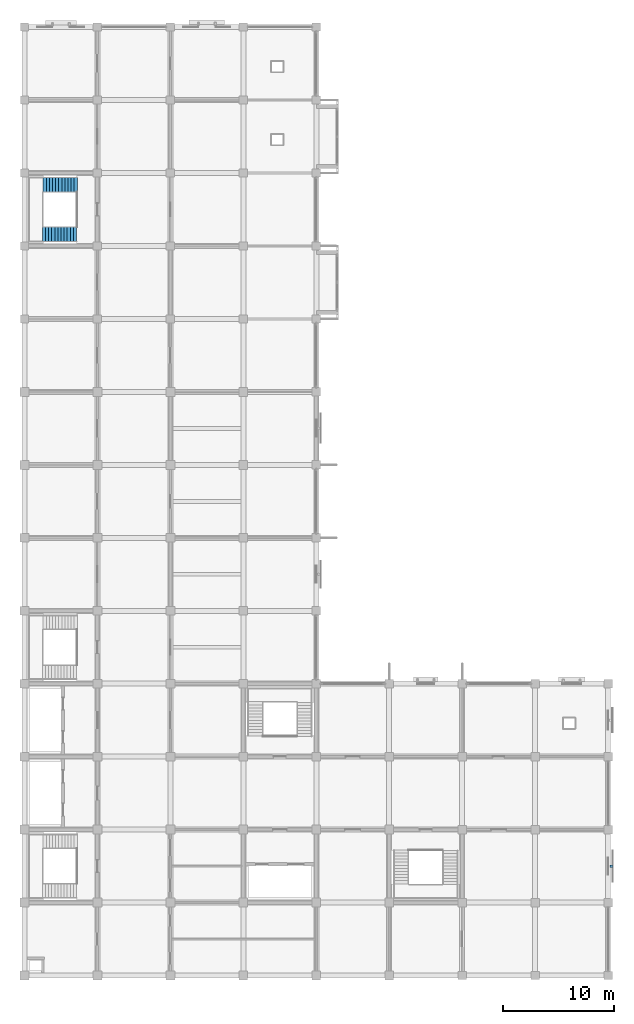
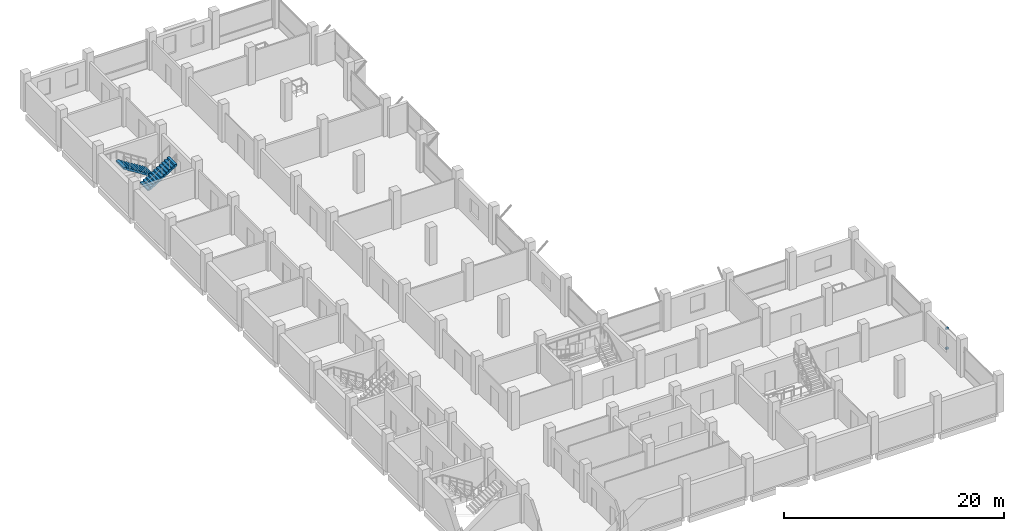
# One storey, part 14 of 18: 2 discrete accessories, 2 stair flights, 1 element without a shape of its own.
"""IFC4 building model written with IfcOpenShell, lengths in metres."""

from ifc_helpers import new_model, si_unit, direction, frame, origin, origin_2d, place, context, subcontext, project, spatial, polyline, rectangle, outline, extrude, material, type_object, element, aggregate, save


model = new_model("IFC4")

# Units and contexts
model_context = context("Model", 3, precision=1e-05, world=origin(), true_north=direction((0.0, 1.0)))
body_context = subcontext(model_context, "Body", "Model", "MODEL_VIEW")
ifc_project = project(units=[si_unit("LENGTHUNIT", "METRE"), si_unit("AREAUNIT", "SQUARE_METRE"), si_unit("VOLUMEUNIT", "CUBIC_METRE"), si_unit("PLANEANGLEUNIT", "RADIAN"), si_unit("MASSUNIT", "GRAM", prefix="KILO")], contexts=[model_context])

# Site, building, storey
site_placement = place(None, origin())
site = spatial("IfcSite", under=ifc_project, at=site_placement, CompositionType="ELEMENT")
building_placement = place(site_placement, origin())
building = spatial("IfcBuilding", under=site, at=building_placement, Name="Rusizi Kubbe Research Institute", CompositionType="ELEMENT")
storey_placement = place(building_placement, frame((0.0, 0.0, 22.800048828125)))
storey = spatial("IfcBuildingStorey", under=building, at=storey_placement, Name="L05", CompositionType="ELEMENT", Elevation=22.800048828125)

# Stair, stair flights
ifc_material_1 = material(Name="Concrete C40/50", Category="concrete")
stair_type = type_object("IfcStairType", Name="ST-H420A", PredefinedType="HALF_TURN_STAIR", material=ifc_material_1)
stair_placement = place(storey_placement, origin())
stair = element("IfcStair", 1, at=stair_placement, inside=storey, type_object=stair_type, Name="Protected Exit Stair ST5 (L05)", PredefinedType="HALF_TURN_STAIR")
ifc_material_2 = material(Name="Concrete C40/50", Category="concrete")
stair_flight_type = type_object("IfcStairFlightType", Name="FL-H420A", PredefinedType="STRAIGHT", material=ifc_material_2)
stair_flight_1_placement = place(storey_placement, frame((4.780029296875, 71.550048828125, 0.0), z_axis=(0.0, 0.0, 1.0), x_axis=(-1.0, 0.0, 0.0)))
stair_flight_1 = element("IfcStairFlight", 2, at=stair_flight_1_placement, type_object=stair_flight_type, Name="ST5 flight 1", NumberOfRisers=12, NumberOfTreads=11, PredefinedType="STRAIGHT", RiserHeight=0.175, TreadLength=0.28, context=body_context, shape_type="SweptSolid", body=[
    extrude(outline(polyline([(0.0, 0.0), (0.0, 0.175048828125), (0.280029296875, 0.175048828125), (0.280029296875, 0.35009765625), (0.56005859375, 0.35009765625), (0.56005859375, 0.52490234375), (0.840087890625, 0.52490234375), (0.840087890625, 0.699951171875), (1.1201171875, 0.699951171875), (1.1201171875, 0.875), (1.39990234375, 0.875), (1.39990234375, 1.050048828125), (1.679931640625, 1.050048828125), (1.679931640625, 1.22509765625), (1.9599609375, 1.22509765625), (1.9599609375, 1.39990234375), (2.239990234375, 1.39990234375), (2.239990234375, 1.574951171875), (2.52001953125, 1.574951171875), (2.52001953125, 1.75), (2.800048828125, 1.75), (2.800048828125, 1.925048828125), (3.080078125, 1.925048828125), (3.080078125, 2.10009765625), (3.080078125, 1.736328125), (0.3017578125, 0.0), (0.0, 0.0)])), frame((0.0, 0.699951171875, 0.0), z_axis=(0.0, -1.0, 0.0), x_axis=(1.0, 0.0, 0.0)), (0.0, 0.0, 1.0), 1.39990234375),
])
stair_flight_2_placement = place(storey_placement, frame((1.6259765625, 67.050048828125, 2.099853515625), z_axis=(0.0, 0.0, 1.0), x_axis=(1.0, 0.0, 0.0)))
stair_flight_2 = element("IfcStairFlight", 3, at=stair_flight_2_placement, type_object=stair_flight_type, Name="ST5 flight 2", NumberOfRisers=12, NumberOfTreads=11, PredefinedType="STRAIGHT", RiserHeight=0.175, TreadLength=0.28, context=body_context, shape_type="SweptSolid", body=[
    extrude(outline(polyline([(0.0, 0.0), (0.0, 0.175048828125), (0.280029296875, 0.175048828125), (0.280029296875, 0.35009765625), (0.56005859375, 0.35009765625), (0.56005859375, 0.52490234375), (0.840087890625, 0.52490234375), (0.840087890625, 0.699951171875), (1.1201171875, 0.699951171875), (1.1201171875, 0.875), (1.39990234375, 0.875), (1.39990234375, 1.050048828125), (1.679931640625, 1.050048828125), (1.679931640625, 1.22509765625), (1.9599609375, 1.22509765625), (1.9599609375, 1.39990234375), (2.239990234375, 1.39990234375), (2.239990234375, 1.574951171875), (2.52001953125, 1.574951171875), (2.52001953125, 1.75), (2.800048828125, 1.75), (2.800048828125, 1.925048828125), (3.080078125, 1.925048828125), (3.080078125, 2.10009765625), (3.080078125, 1.736328125), (0.3017578125, 0.0), (0.0, 0.0)])), frame((0.0, 0.699951171875, 0.0), z_axis=(0.0, -1.0, 0.0), x_axis=(1.0, 0.0, 0.0)), (0.0, 0.0, 1.0), 1.39990234375),
])
aggregate(stair, [stair_flight_1, stair_flight_2])

# Discrete accessories
ifc_material_3 = material(Name="Steel S355", Category="steel")
discrete_accessory_type = type_object("IfcDiscreteAccessoryType", Name="BK-01", PredefinedType="BRACKET", material=ifc_material_3)
for number, where, z_axis, x_axis, name in (
    (4, (53.1025390625, 9.89990234375, 0.73974609375), (0.0, 0.0, 1.0), (1.0, 0.0, 0.0), "Solar Screen Bracket 50-1"),
    (5, (53.1025390625, 9.89990234375, 2.93994140625), (0.0, 0.0, 1.0), (1.0, 0.0, 0.0), "Solar Screen Bracket 50-2"),
):
    element("IfcDiscreteAccessory", number, at=place(storey_placement, frame(where, z_axis=z_axis, x_axis=x_axis)), inside=storey, type_object=discrete_accessory_type, Name=name, PredefinedType="BRACKET", context=body_context, shape_type="SweptSolid", body=[
        extrude(rectangle(XDim=0.300048828125, YDim=0.219970703125, at=origin_2d()), origin(), (0.0, 0.0, 1.0), 0.179931640625),
    ])

save(model, "model.ifc")
